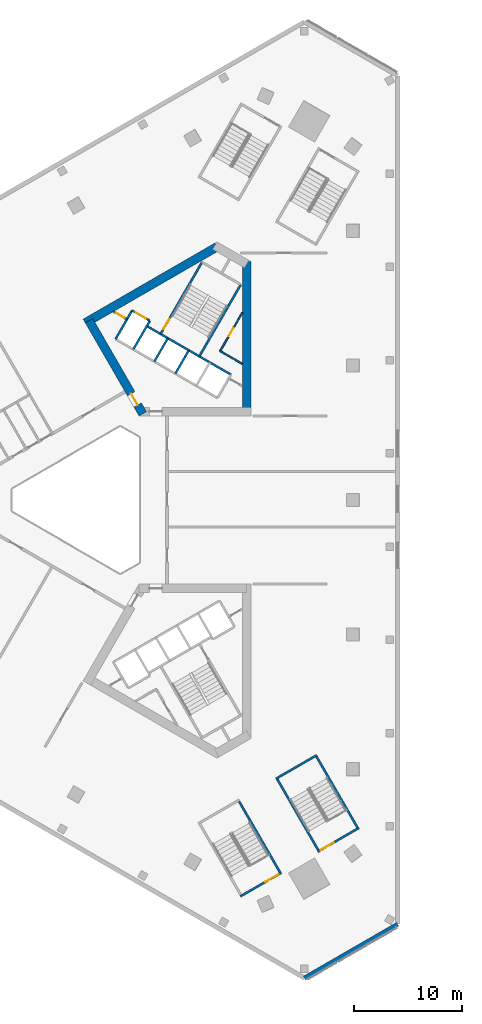
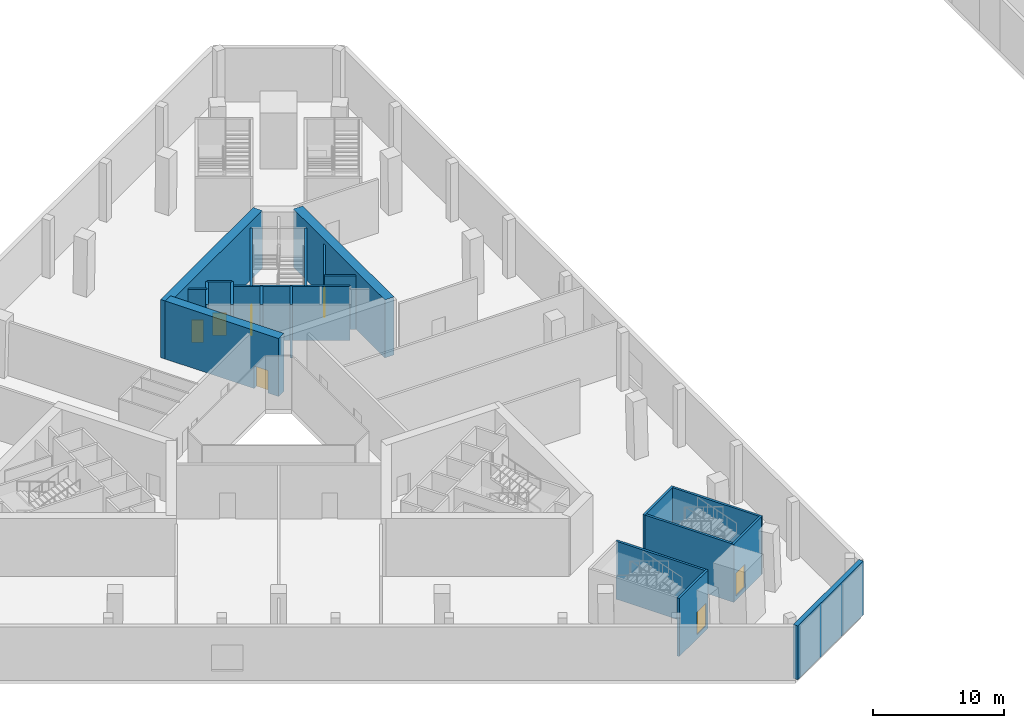
# One storey, part 10 of 35: 21 walls, 7 doors, 7 openings.
"""IFC4 building model written with IfcOpenShell, lengths in metres."""

from ifc_helpers import new_model, si_unit, direction, frame, frame_2d, origin, place, context, subcontext, project, spatial, rectangle, extrude, material, layer, layer_set, type_object, element, fill, save


model = new_model("IFC4")

# Units and contexts
model_context = context("Model", 3, precision=1e-05, world=origin(), true_north=direction((0.0, 1.0)))
body_context = subcontext(model_context, "Body", "Model", "MODEL_VIEW")
ifc_project = project(units=[si_unit("LENGTHUNIT", "METRE"), si_unit("AREAUNIT", "SQUARE_METRE"), si_unit("VOLUMEUNIT", "CUBIC_METRE"), si_unit("PLANEANGLEUNIT", "RADIAN"), si_unit("MASSUNIT", "GRAM", prefix="KILO")], contexts=[model_context])

# Site, building, storey
site_placement = place(None, origin())
site = spatial("IfcSite", under=ifc_project, at=site_placement, CompositionType="ELEMENT")
building_placement = place(site_placement, origin())
building = spatial("IfcBuilding", under=site, at=building_placement, Name="Jabali Bay Hotel Tower and Convention Centre", CompositionType="ELEMENT")
storey_placement = place(building_placement, frame((0.0, 0.0, 15.0)))
storey = spatial("IfcBuildingStorey", under=building, at=storey_placement, Name="L02", CompositionType="ELEMENT", Elevation=15.0)

# Wall, opening, door
ifc_material_1 = material(Name="Concrete C40", Category="concrete")
ifc_layer_1 = layer(ifc_material_1, 0.199951171875)
ifc_layer_set_1 = layer_set([ifc_layer_1], Name="Concrete C40")
wall_type_1 = type_object("IfcWallType", Name="Core partition wall 200", PredefinedType="PARTITIONING", material=ifc_layer_set_1)
wall_1_placement = place(storey_placement, frame((78.380126953125, 96.754638671875, 0.0), z_axis=(0.0, 0.0, 1.0), x_axis=(-0.866003949776, 0.500037157592, 0.0)))
wall_1 = element("IfcWall", 1, at=wall_1_placement, inside=storey, type_object=wall_type_1, Name="Core wall 1.12 L02", PredefinedType="PARTITIONING", context=body_context, shape_type="SweptSolid", body=[
    extrude(rectangle(XDim=1.455078125, YDim=0.199951171875, at=frame_2d((0.7275390625, 0.0))), origin(), (0.0, 0.0, 1.0), 5.0),
])
opening_1_placement = place(wall_1_placement, frame((0.277587890625, 0.0, 0.0)))
opening_1 = element("IfcOpeningElement", 2, at=opening_1_placement, cuts=wall_1, Name="Opening D152", PredefinedType="OPENING", context=body_context, shape_type="SweptSolid", body=[
    extrude(rectangle(XDim=0.89990234375, YDim=2.10009765625, at=frame_2d((0.449951171875, 1.050048828125))), frame((0.0, 0.1103515625, 0.0), z_axis=(0.0, -1.0, 0.0), x_axis=(1.0, 0.0, 0.0)), (0.0, 0.0, 1.0), 0.220947265625),
])
ifc_material_2 = material(Name="Fire-rated steel door", Category="steel")
door_type_1 = type_object("IfcDoorType", Name="Vestibule fire door 900 x 2100", OperationType="NOTDEFINED", PredefinedType="NOTDEFINED", material=ifc_material_2)
door_1_placement = place(opening_1_placement, origin())
door_1 = element("IfcDoor", 3, at=door_1_placement, inside=storey, type_object=door_type_1, Name="Vestibule fire door D152", OperationType="SINGLE_SWING_LEFT", OverallHeight=2.10009765625, OverallWidth=0.89990234375, PredefinedType="NOTDEFINED", context=body_context, shape_type="SweptSolid", body=[
    extrude(rectangle(XDim=0.89990234375, YDim=2.10009765625, at=frame_2d((0.449951171875, 1.050048828125))), frame((0.0, 0.02490234375, 0.0), z_axis=(0.0, -1.0, 0.0), x_axis=(1.0, 0.0, 0.0)), (0.0, 0.0, 1.0), 0.050048828125),
])
fill(opening_1, door_1)

ifc_material_3 = material(Name="Fire-rated board partition")
ifc_layer_2 = layer(ifc_material_3, 0.14990234375)
ifc_layer_set_2 = layer_set([ifc_layer_2], Name="Fire-rated board partition")
wall_type_2 = type_object("IfcWallType", Name="Core room partition 150", PredefinedType="PARTITIONING", material=ifc_layer_set_2)
wall_2_placement = place(storey_placement, frame((87.02099609375, 93.821044921875, 0.0), z_axis=(0.0, 0.0, 1.0), x_axis=(0.500028662945, 0.866008854593, 0.0)))
wall_2 = element("IfcWall", 4, at=wall_2_placement, inside=storey, type_object=wall_type_2, Name="Core wall 1.1 L02", PredefinedType="PARTITIONING", context=body_context, shape_type="SweptSolid", body=[
    extrude(rectangle(XDim=4.117919921875, YDim=0.14990234375, at=frame_2d((2.05908203125, 0.0))), origin(), (0.0, 0.0, 1.0), 5.0),
])
opening_2_placement = place(wall_2_placement, frame((1.58154296875, 0.0, 0.0)))
opening_2 = element("IfcOpeningElement", 5, at=opening_2_placement, cuts=wall_2, Name="Opening D155", PredefinedType="OPENING", context=body_context, shape_type="SweptSolid", body=[
    extrude(rectangle(XDim=0.89990234375, YDim=2.10009765625, at=frame_2d((0.449951171875, 1.050048828125))), frame((0.0, 0.08544921875, 0.0), z_axis=(0.0, -1.0, 0.0), x_axis=(1.0, 0.0, 0.0)), (0.0, 0.0, 1.0), 0.1708984375),
])
door_type_2 = type_object("IfcDoorType", Name="Core room door 900 x 2100", OperationType="NOTDEFINED", PredefinedType="NOTDEFINED", material=ifc_material_2)
door_2_placement = place(opening_2_placement, origin())
door_2 = element("IfcDoor", 6, at=door_2_placement, inside=storey, type_object=door_type_2, Name="Core room door D155", OperationType="SINGLE_SWING_LEFT", OverallHeight=2.10009765625, OverallWidth=0.89990234375, PredefinedType="NOTDEFINED", context=body_context, shape_type="SweptSolid", body=[
    extrude(rectangle(XDim=0.89990234375, YDim=2.10009765625, at=frame_2d((0.449951171875, 1.050048828125))), frame((0.0, 0.02490234375, 0.0), z_axis=(0.0, -1.0, 0.0), x_axis=(1.0, 0.0, 0.0)), (0.0, 0.0, 1.0), 0.050048828125),
])
fill(opening_2, door_2)

# Walls
wall_3_placement = place(storey_placement, frame((89.080078125, 92.63232421875, 0.0), z_axis=(0.0, 0.0, 1.0), x_axis=(-0.866041951395, 0.499971337603, 0.0)))
element("IfcWall", 7, at=wall_3_placement, inside=storey, type_object=wall_type_2, Name="Core wall 1.15 L02", PredefinedType="PARTITIONING", context=body_context, shape_type="SweptSolid", body=[
    extrude(rectangle(XDim=2.377685546875, YDim=0.14990234375, at=frame_2d((1.18896484375, 0.0))), origin(), (0.0, 0.0, 1.0), 5.0),
])
ifc_layer_3 = layer(ifc_material_1, 0.199951171875)
ifc_layer_set_3 = layer_set([ifc_layer_3], Name="Concrete C40")
wall_type_3 = type_object("IfcWallType", Name="Core stair wall 200", PredefinedType="SOLIDWALL", material=ifc_layer_set_3)
wall_4_placement = place(storey_placement, frame((85.0869140625, 93.3212890625, 0.0), z_axis=(0.0, 0.0, 1.0), x_axis=(0.500019787375, 0.866013979237, 0.0)))
element("IfcWall", 8, at=wall_4_placement, inside=storey, type_object=wall_type_3, Name="Core wall 1.3 L02", PredefinedType="SOLIDWALL", context=body_context, shape_type="SweptSolid", body=[
    extrude(rectangle(XDim=7.699951171875, YDim=0.199951171875, at=frame_2d((3.85009765625, 0.0))), origin(), (0.0, 0.0, 1.0), 5.0),
])
for number, where, z_axis, x_axis, name in (
    (9, (82.872802734375, 91.73583984375, 0.0), (0.0, 0.0, 1.0), (0.499961042966, 0.86604789447, 0.0), "Core wall 1.4 L02"),
    (10, (80.924072265625, 92.86083984375, 0.0), (0.0, 0.0, 1.0), (0.499961042966, 0.86604789447, 0.0), "Core wall 1.6 L02"),
):
    element("IfcWall", number, at=place(storey_placement, frame(where, z_axis=z_axis, x_axis=x_axis)), inside=storey, type_object=wall_type_3, Name=name, PredefinedType="SOLIDWALL", context=body_context, shape_type="SweptSolid", body=[
        extrude(rectangle(XDim=2.480224609375, YDim=0.199951171875, at=frame_2d((1.240234375, 0.0))), origin(), (0.0, 0.0, 1.0), 5.0),
    ])

# Wall, opening, door
wall_5_placement = place(storey_placement, frame((81.492919921875, 95.396240234375, 0.0), z_axis=(0.0, 0.0, 1.0), x_axis=(0.500006057782, 0.866021906294, 0.0)))
wall_5 = element("IfcWall", 11, at=wall_5_placement, inside=storey, type_object=wall_type_3, Name="Core wall 1.7 L02", PredefinedType="SOLIDWALL", context=body_context, shape_type="SweptSolid", body=[
    extrude(rectangle(XDim=7.7001953125, YDim=0.199951171875, at=frame_2d((3.85009765625, 0.0))), origin(), (0.0, 0.0, 1.0), 5.0),
])
opening_3_placement = place(wall_5_placement, frame((0.550048828125, 0.0, 0.0)))
opening_3 = element("IfcOpeningElement", 12, at=opening_3_placement, cuts=wall_5, Name="Opening D154", PredefinedType="OPENING", context=body_context, shape_type="SweptSolid", body=[
    extrude(rectangle(XDim=1.10009765625, YDim=2.10009765625, at=frame_2d((0.550048828125, 1.050048828125))), frame((0.0, 0.1103515625, 0.0), z_axis=(0.0, -1.0, 0.0), x_axis=(1.0, 0.0, 0.0)), (0.0, 0.0, 1.0), 0.220947265625),
])
door_type_3 = type_object("IfcDoorType", Name="Stair fire door 1100 x 2100", OperationType="NOTDEFINED", PredefinedType="NOTDEFINED", material=ifc_material_2)
door_3_placement = place(opening_3_placement, origin())
door_3 = element("IfcDoor", 13, at=door_3_placement, inside=storey, type_object=door_type_3, Name="Stair fire door D154", OperationType="SINGLE_SWING_RIGHT", OverallHeight=2.10009765625, OverallWidth=1.10009765625, PredefinedType="NOTDEFINED", context=body_context, shape_type="SweptSolid", body=[
    extrude(rectangle(XDim=1.10009765625, YDim=2.10009765625, at=frame_2d((0.550048828125, 1.050048828125))), frame((0.0, 0.02490234375, 0.0), z_axis=(0.0, -1.0, 0.0), x_axis=(1.0, 0.0, 0.0)), (0.0, 0.0, 1.0), 0.050048828125),
])
fill(opening_3, door_3)

# Walls
for number, where, z_axis, x_axis, name in (
    (14, (78.9755859375, 93.98583984375, 0.0), (0.0, 0.0, 1.0), (0.499944174705, 0.866057632134, 0.0), "Core wall 1.8 L02"),
    (15, (77.330078125, 94.93603515625, 0.0), (0.0, 0.0, 1.0), (0.500038867431, 0.8660029625, 0.0), "Core wall 1.9 L02"),
):
    element("IfcWall", number, at=place(storey_placement, frame(where, z_axis=z_axis, x_axis=x_axis)), inside=storey, type_object=wall_type_3, Name=name, PredefinedType="SOLIDWALL", context=body_context, shape_type="SweptSolid", body=[
        extrude(rectangle(XDim=3.050048828125, YDim=0.199951171875, at=frame_2d((1.52490234375, 0.0))), origin(), (0.0, 0.0, 1.0), 5.0),
    ])
wall_6_placement = place(storey_placement, frame((88.009765625, 91.6337890625, 0.0), z_axis=(0.0, 0.0, 1.0), x_axis=(-0.866024315419, 0.5000018851, 0.0)))
element("IfcWall", 16, at=wall_6_placement, inside=storey, type_object=wall_type_3, Name="Core wall 1.13 L02", PredefinedType="SOLIDWALL", context=body_context, shape_type="SweptSolid", body=[
    extrude(rectangle(XDim=9.0, YDim=0.199951171875, at=frame_2d((4.5, 0.0))), origin(), (0.0, 0.0, 1.0), 5.0),
])

# Wall, opening, door
wall_7_placement = place(storey_placement, frame((80.50048828125, 96.62744140625, 0.0), z_axis=(0.0, 0.0, 1.0), x_axis=(-0.86601224135, 0.500022797313, 0.0)))
wall_7 = element("IfcWall", 17, at=wall_7_placement, inside=storey, type_object=wall_type_3, Name="Core wall 1.14 L02", PredefinedType="SOLIDWALL", context=body_context, shape_type="SweptSolid", body=[
    extrude(rectangle(XDim=1.89990234375, YDim=0.199951171875, at=frame_2d((0.949951171875, 0.0))), origin(), (0.0, 0.0, 1.0), 5.0),
])
opening_4_placement = place(wall_7_placement, frame((0.39990234375, 0.0, 0.0)))
opening_4 = element("IfcOpeningElement", 18, at=opening_4_placement, cuts=wall_7, Name="Opening LD10-L02", PredefinedType="OPENING", context=body_context, shape_type="SweptSolid", body=[
    extrude(rectangle(XDim=1.10009765625, YDim=2.10009765625, at=frame_2d((0.550048828125, 1.050048828125))), frame((0.0, 0.1103515625, 0.0), z_axis=(0.0, -1.0, 0.0), x_axis=(1.0, 0.0, 0.0)), (0.0, 0.0, 1.0), 0.220947265625),
])
ifc_material_4 = material(Name="Stainless steel landing door", Category="steel")
door_type_4 = type_object("IfcDoorType", Name="Landing door 1100 x 2100", OperationType="NOTDEFINED", PredefinedType="NOTDEFINED", material=ifc_material_4)
door_4_placement = place(opening_4_placement, origin())
door_4 = element("IfcDoor", 19, at=door_4_placement, inside=storey, type_object=door_type_4, Name="Landing doors LD10-L02", OperationType="SLIDING_TO_RIGHT", OverallHeight=2.10009765625, OverallWidth=1.10009765625, PredefinedType="NOTDEFINED", context=body_context, shape_type="SweptSolid", body=[
    extrude(rectangle(XDim=1.10009765625, YDim=2.10009765625, at=frame_2d((0.550048828125, 1.050048828125))), frame((0.0, 0.02490234375, 0.0), z_axis=(0.0, -1.0, 0.0), x_axis=(1.0, 0.0, 0.0)), (0.0, 0.0, 1.0), 0.050048828125),
])
fill(opening_4, door_4)

# Walls
ifc_material_5 = material(Name="Concrete C60", Category="concrete")
ifc_layer_4 = layer(ifc_material_5, 0.800048828125)
ifc_layer_set_4 = layer_set([ifc_layer_4], Name="Concrete C60")
wall_type_4 = type_object("IfcWallType", Name="Core wall 800", PredefinedType="SHEAR", material=ifc_layer_set_4)
wall_8_placement = place(storey_placement, frame((89.47998046875, 88.1943359375, 0.0), z_axis=(0.0, 0.0, 1.0), x_axis=(0.0, 1.0, 0.0)))
element("IfcWall", 20, at=wall_8_placement, inside=storey, type_object=wall_type_4, Name="Core wall 2.2 L02", PredefinedType="SHEAR", context=body_context, shape_type="SweptSolid", body=[
    extrude(rectangle(XDim=13.933349609375, YDim=0.800048828125, at=frame_2d((6.966796875, 0.0))), origin(), (0.0, 0.0, 1.0), 5.39990234375),
])
wall_9_placement = place(storey_placement, frame((86.72314453125, 103.48828125, 0.0), z_axis=(0.0, 0.0, 1.0), x_axis=(-0.866032504327, -0.499987701298, 0.0)))
element("IfcWall", 21, at=wall_9_placement, inside=storey, type_object=wall_type_4, Name="Core wall 2.4 L02", PredefinedType="SHEAR", context=body_context, shape_type="SweptSolid", body=[
    extrude(rectangle(XDim=14.102294921875, YDim=0.800048828125, at=frame_2d((7.05126953125, 0.0))), origin(), (0.0, 0.0, 1.0), 5.39990234375),
])

# Wall, opening, door
wall_10_placement = place(storey_placement, frame((74.8564453125, 96.63720703125, 0.0), z_axis=(0.0, 0.0, 1.0), x_axis=(0.499993500917, -0.866029155999, 0.0)))
wall_10 = element("IfcWall", 22, at=wall_10_placement, inside=storey, type_object=wall_type_4, Name="Core wall 2.5 L02", PredefinedType="SHEAR", context=body_context, shape_type="SweptSolid", body=[
    extrude(rectangle(XDim=9.980224609375, YDim=0.800048828125, at=frame_2d((4.990234375, 0.0))), origin(), (0.0, 0.0, 1.0), 5.39990234375),
])
opening_5_placement = place(wall_10_placement, frame((7.830078125, 0.0, 0.0)))
opening_5 = element("IfcOpeningElement", 23, at=opening_5_placement, cuts=wall_10, Name="Opening D151", PredefinedType="OPENING", context=body_context, shape_type="SweptSolid", body=[
    extrude(rectangle(XDim=1.199951171875, YDim=2.10009765625, at=frame_2d((0.60009765625, 1.050048828125))), frame((0.0, 0.41064453125, 0.0), z_axis=(0.0, -1.0, 0.0), x_axis=(1.0, 0.0, 0.0)), (0.0, 0.0, 1.0), 0.821044921875),
])
door_type_5 = type_object("IfcDoorType", Name="Corridor end fire door 1200 x 2100", OperationType="NOTDEFINED", PredefinedType="NOTDEFINED", material=ifc_material_2)
door_5_placement = place(opening_5_placement, origin())
door_5 = element("IfcDoor", 24, at=door_5_placement, inside=storey, type_object=door_type_5, Name="Corridor end fire door D151", OperationType="SINGLE_SWING_LEFT", OverallHeight=2.10009765625, OverallWidth=1.199951171875, PredefinedType="NOTDEFINED", context=body_context, shape_type="SweptSolid", body=[
    extrude(rectangle(XDim=1.199951171875, YDim=2.10009765625, at=frame_2d((0.60009765625, 1.050048828125))), frame((0.0, 0.02490234375, 0.0), z_axis=(0.0, -1.0, 0.0), x_axis=(1.0, 0.0, 0.0)), (0.0, 0.0, 1.0), 0.050048828125),
])
fill(opening_5, door_5)

# Wall
ifc_layer_5 = layer(ifc_material_1, 0.39990234375)
ifc_layer_set_5 = layer_set([ifc_layer_5], Name="Concrete C40")
wall_type_5 = type_object("IfcWallType", Name="Podium external wall 400", PredefinedType="SOLIDWALL", material=ifc_layer_set_5)
wall_11_placement = place(storey_placement, frame((103.5, 40.636474609375, 0.0), z_axis=(0.0, 0.0, 1.0), x_axis=(-0.866022959057, -0.500004234368, 0.0)))
element("IfcWall", 25, at=wall_11_placement, inside=storey, type_object=wall_type_5, Name="External wall south-east chamfer L02", PredefinedType="SOLIDWALL", context=body_context, shape_type="SweptSolid", body=[
    extrude(rectangle(XDim=10.0, YDim=0.39990234375, at=frame_2d((5.0, 0.0))), origin(), (0.0, 0.0, 1.0), 5.0),
])

# Wall, opening, door
ifc_layer_6 = layer(ifc_material_1, 0.199951171875)
ifc_layer_set_6 = layer_set([ifc_layer_6], Name="Concrete C40")
wall_type_6 = type_object("IfcWallType", Name="Podium stair enclosure wall 200", PredefinedType="SOLIDWALL", material=ifc_layer_set_6)
wall_12_placement = place(storey_placement, frame((96.0888671875, 47.373291015625, -0.39990234375), z_axis=(0.0, 0.0, 1.0), x_axis=(0.866018331238, 0.50001224981, 0.0)))
wall_12 = element("IfcWall", 26, at=wall_12_placement, inside=storey, type_object=wall_type_6, Name="Podium stair wall 5.1 L02", PredefinedType="SOLIDWALL", context=body_context, shape_type="SweptSolid", body=[
    extrude(rectangle(XDim=4.39990234375, YDim=0.199951171875, at=frame_2d((2.199951171875, 0.0))), origin(), (0.0, 0.0, 1.0), 5.39990234375),
])
opening_6_placement = place(wall_12_placement, frame((0.300048828125, 0.0, 0.39990234375)))
opening_6 = element("IfcOpeningElement", 27, at=opening_6_placement, cuts=wall_12, Name="Opening D1758", PredefinedType="OPENING", context=body_context, shape_type="SweptSolid", body=[
    extrude(rectangle(XDim=1.39990234375, YDim=2.10009765625, at=frame_2d((0.699951171875, 1.050048828125))), frame((0.0, 0.1103515625, 0.0), z_axis=(0.0, -1.0, 0.0), x_axis=(1.0, 0.0, 0.0)), (0.0, 0.0, 1.0), 0.220947265625),
])
door_type_6 = type_object("IfcDoorType", Name="Podium stair fire door 1400 x 2100", OperationType="NOTDEFINED", PredefinedType="NOTDEFINED", material=ifc_material_2)
door_6_placement = place(opening_6_placement, origin())
door_6 = element("IfcDoor", 28, at=door_6_placement, inside=storey, type_object=door_type_6, Name="Podium stair fire door D1758", OperationType="SINGLE_SWING_RIGHT", OverallHeight=2.10009765625, OverallWidth=1.39990234375, PredefinedType="NOTDEFINED", context=body_context, shape_type="SweptSolid", body=[
    extrude(rectangle(XDim=1.39990234375, YDim=2.10009765625, at=frame_2d((0.699951171875, 1.050048828125))), frame((0.0, 0.02490234375, 0.0), z_axis=(0.0, -1.0, 0.0), x_axis=(1.0, 0.0, 0.0)), (0.0, 0.0, 1.0), 0.050048828125),
])
fill(opening_6, door_6)

# Walls
wall_13_placement = place(storey_placement, frame((99.862548828125, 49.4365234375, -0.39990234375), z_axis=(0.0, 0.0, 1.0), x_axis=(-0.49999894854, 0.866026010844, 0.0)))
element("IfcWall", 29, at=wall_13_placement, inside=storey, type_object=wall_type_6, Name="Podium stair wall 5.2 L02", PredefinedType="SOLIDWALL", context=body_context, shape_type="SweptSolid", body=[
    extrude(rectangle(XDim=8.0, YDim=0.199951171875, at=frame_2d((4.0, 0.0))), origin(), (0.0, 0.0, 1.0), 5.39990234375),
])
wall_14_placement = place(storey_placement, frame((95.999267578125, 56.328125, -0.39990234375), z_axis=(0.0, 0.0, 1.0), x_axis=(-0.866032203192, -0.499988222896, 0.0)))
element("IfcWall", 30, at=wall_14_placement, inside=storey, type_object=wall_type_6, Name="Podium stair wall 5.3 L02", PredefinedType="SOLIDWALL", context=body_context, shape_type="SweptSolid", body=[
    extrude(rectangle(XDim=4.39990234375, YDim=0.199951171875, at=frame_2d((2.199951171875, 0.0))), origin(), (0.0, 0.0, 1.0), 5.39990234375),
])
wall_15_placement = place(storey_placement, frame((92.225341796875, 54.264892578125, -0.39990234375), z_axis=(0.0, 0.0, 1.0), x_axis=(0.49999894854, -0.866026010844, 0.0)))
element("IfcWall", 31, at=wall_15_placement, inside=storey, type_object=wall_type_6, Name="Podium stair wall 5.4 L02", PredefinedType="SOLIDWALL", context=body_context, shape_type="SweptSolid", body=[
    extrude(rectangle(XDim=8.0, YDim=0.199951171875, at=frame_2d((4.0, 0.0))), origin(), (0.0, 0.0, 1.0), 5.39990234375),
])

# Wall, opening, door
wall_16_placement = place(storey_placement, frame((88.900634765625, 43.22314453125, -0.39990234375), z_axis=(0.0, 0.0, 1.0), x_axis=(0.866032203192, 0.499988222896, 0.0)))
wall_16 = element("IfcWall", 32, at=wall_16_placement, inside=storey, type_object=wall_type_6, Name="Podium stair wall 6.1 L02", PredefinedType="SOLIDWALL", context=body_context, shape_type="SweptSolid", body=[
    extrude(rectangle(XDim=4.39990234375, YDim=0.199951171875, at=frame_2d((2.199951171875, 0.0))), origin(), (0.0, 0.0, 1.0), 5.39990234375),
])
opening_7_placement = place(wall_16_placement, frame((2.699951171875, 0.0, 0.39990234375)))
opening_7 = element("IfcOpeningElement", 33, at=opening_7_placement, cuts=wall_16, Name="Opening D1763", PredefinedType="OPENING", context=body_context, shape_type="SweptSolid", body=[
    extrude(rectangle(XDim=1.39990234375, YDim=2.10009765625, at=frame_2d((0.699951171875, 1.050048828125))), frame((0.0, 0.1103515625, 0.0), z_axis=(0.0, -1.0, 0.0), x_axis=(1.0, 0.0, 0.0)), (0.0, 0.0, 1.0), 0.220947265625),
])
door_7_placement = place(opening_7_placement, origin())
door_7 = element("IfcDoor", 34, at=door_7_placement, inside=storey, type_object=door_type_6, Name="Podium stair fire door D1763", OperationType="SINGLE_SWING_RIGHT", OverallHeight=2.10009765625, OverallWidth=1.39990234375, PredefinedType="NOTDEFINED", context=body_context, shape_type="SweptSolid", body=[
    extrude(rectangle(XDim=1.39990234375, YDim=2.10009765625, at=frame_2d((0.699951171875, 1.050048828125))), frame((0.0, 0.02490234375, 0.0), z_axis=(0.0, -1.0, 0.0), x_axis=(1.0, 0.0, 0.0)), (0.0, 0.0, 1.0), 0.050048828125),
])
fill(opening_7, door_7)

# Wall
wall_17_placement = place(storey_placement, frame((92.674560546875, 45.28662109375, -0.39990234375), z_axis=(0.0, 0.0, 1.0), x_axis=(-0.49999894854, 0.866026010844, 0.0)))
element("IfcWall", 35, at=wall_17_placement, inside=storey, type_object=wall_type_6, Name="Podium stair wall 6.2 L02", PredefinedType="SOLIDWALL", context=body_context, shape_type="SweptSolid", body=[
    extrude(rectangle(XDim=8.0, YDim=0.199951171875, at=frame_2d((4.0, 0.0))), origin(), (0.0, 0.0, 1.0), 5.39990234375),
])

save(model, "model.ifc")
